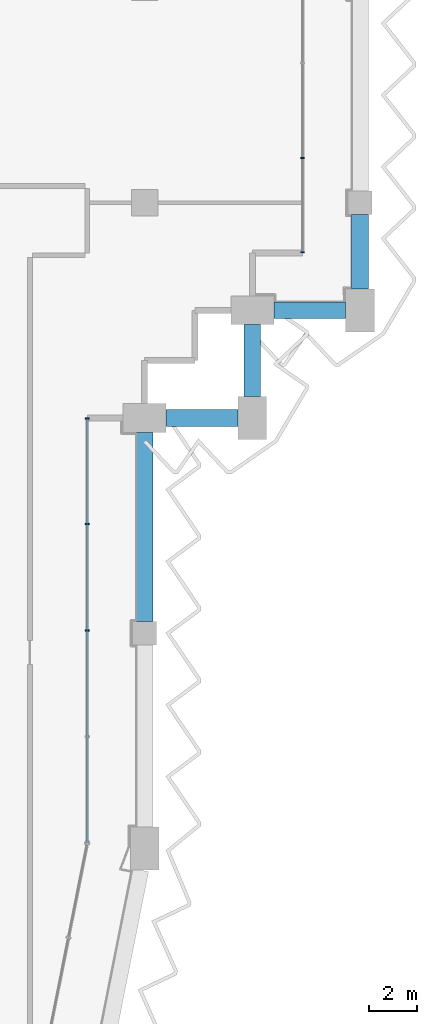
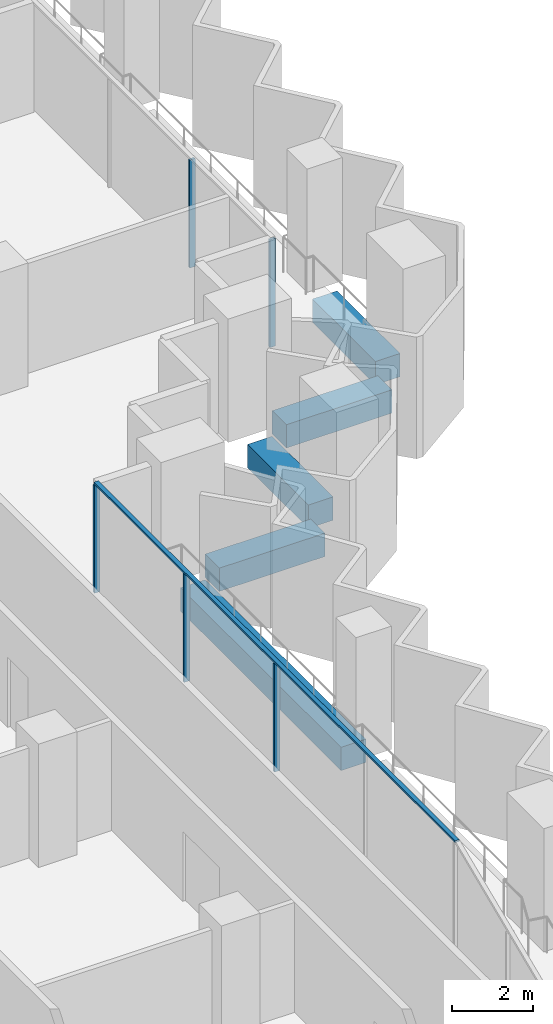
# One storey, part 5 of 19: 6 members, 5 beams, 2 elements without a shape of their own.
"""IFC4 building model written with IfcOpenShell, lengths in metres."""

from ifc_helpers import new_model, si_unit, direction, frame, origin, origin_2d, place, context, subcontext, project, spatial, rectangle, extrude, material, material_profile, profile_set, type_object, element, aggregate, save


model = new_model("IFC4")

# Units and contexts
model_context = context("Model", 3, precision=1e-05, world=origin(), true_north=direction((0.0, 1.0)))
body_context = subcontext(model_context, "Body", "Model", "MODEL_VIEW")
ifc_project = project(units=[si_unit("LENGTHUNIT", "METRE"), si_unit("AREAUNIT", "SQUARE_METRE"), si_unit("VOLUMEUNIT", "CUBIC_METRE"), si_unit("PLANEANGLEUNIT", "RADIAN"), si_unit("MASSUNIT", "GRAM", prefix="KILO")], contexts=[model_context])

# Site, building, storey
site_placement = place(None, origin())
site = spatial("IfcSite", under=ifc_project, at=site_placement, CompositionType="ELEMENT")
building_placement = place(site_placement, origin())
building = spatial("IfcBuilding", under=site, at=building_placement, Name="Hunhe Ridgeline Campus", CompositionType="ELEMENT")
storey_placement = place(building_placement, frame((0.0, 0.0, 216.10009765625)))
storey = spatial("IfcBuildingStorey", under=building, at=storey_placement, Name="L55", CompositionType="ELEMENT", Elevation=216.10009765625)

# Curtain wall, members
ifc_material_1 = material(Name="Aluminium 6063", Category="aluminium")
curtain_wall_type = type_object("IfcCurtainWallType", Name="Curtain wall CW-1", PredefinedType="NOTDEFINED", material=ifc_material_1)
curtain_wall_1_placement = place(storey_placement, origin())
curtain_wall_1 = element("IfcCurtainWall", 1, at=curtain_wall_1_placement, inside=storey, type_object=curtain_wall_type, Name="Curtain wall 11", PredefinedType="NOTDEFINED")
ifc_material_profile_1 = material_profile(ifc_material_1, rectangle(XDim=0.159912109375, YDim=0.06005859375, at=origin_2d()))
ifc_profile_set_1 = profile_set([ifc_material_profile_1], Name="Aluminium 6063")
member_type_1 = type_object("IfcMemberType", Name="CW-1 aluminium mullion", PredefinedType="MULLION", material=ifc_profile_set_1)
member_1_placement = place(storey_placement, frame((42.59912109375, 45.118408203125, 0.0), z_axis=(0.0, 0.0, 1.0), x_axis=(-0.999999999978, 6.642653e-06, 0.0)))
member_1 = element("IfcMember", 2, at=member_1_placement, type_object=member_type_1, Name="CW-1 mullion 3", PredefinedType="MULLION", context=body_context, shape_type="SweptSolid", body=[
    extrude(rectangle(XDim=0.159912109375, YDim=0.06005859375, at=origin_2d()), origin(), (0.0, 0.0, 1.0), 3.239990234375),
])
member_2_placement = place(storey_placement, frame((42.59912109375, 49.5595703125, 0.0), z_axis=(0.0, 0.0, 1.0), x_axis=(-0.999999999978, 6.642653e-06, 0.0)))
member_2 = element("IfcMember", 3, at=member_2_placement, type_object=member_type_1, Name="CW-1 mullion 4", PredefinedType="MULLION", context=body_context, shape_type="SweptSolid", body=[
    extrude(rectangle(XDim=0.159912109375, YDim=0.06005859375, at=origin_2d()), origin(), (0.0, 0.0, 1.0), 3.239990234375),
])
member_3_placement = place(storey_placement, frame((42.59912109375, 53.970458984375, 0.0), z_axis=(0.0, 0.0, 1.0), x_axis=(-0.999999999978, 6.642653e-06, 0.0)))
member_3 = element("IfcMember", 4, at=member_3_placement, type_object=member_type_1, Name="CW-1 mullion 5", PredefinedType="MULLION", context=body_context, shape_type="SweptSolid", body=[
    extrude(rectangle(XDim=0.159912109375, YDim=0.06005859375, at=origin_2d()), origin(), (0.0, 0.0, 1.0), 3.239990234375),
])

curtain_wall_2_placement = place(storey_placement, origin())
curtain_wall_2 = element("IfcCurtainWall", 5, at=curtain_wall_2_placement, inside=storey, type_object=curtain_wall_type, Name="Curtain wall 12", PredefinedType="NOTDEFINED")
member_4_placement = place(storey_placement, frame((51.59912109375, 60.930908203125, 0.0), z_axis=(0.0, 0.0, 1.0), x_axis=(-1.0, 0.0, 0.0)))
member_4 = element("IfcMember", 6, at=member_4_placement, type_object=member_type_1, Name="CW-1 mullion 1", PredefinedType="MULLION", context=body_context, shape_type="SweptSolid", body=[
    extrude(rectangle(XDim=0.159912109375, YDim=0.06005859375, at=origin_2d()), origin(), (0.0, 0.0, 1.0), 3.239990234375),
])
member_5_placement = place(storey_placement, frame((51.59912109375, 64.8759765625, 0.0), z_axis=(0.0, 0.0, 1.0), x_axis=(-1.0, 0.0, 0.0)))
member_5 = element("IfcMember", 7, at=member_5_placement, type_object=member_type_1, Name="CW-1 mullion 2", PredefinedType="MULLION", context=body_context, shape_type="SweptSolid", body=[
    extrude(rectangle(XDim=0.159912109375, YDim=0.06005859375, at=origin_2d()), origin(), (0.0, 0.0, 1.0), 3.239990234375),
])
aggregate(curtain_wall_2, [member_4, member_5])

# Member
ifc_material_profile_2 = material_profile(ifc_material_1, rectangle(XDim=0.1201171875, YDim=0.06005859375, at=origin_2d()))
ifc_profile_set_2 = profile_set([ifc_material_profile_2], Name="Aluminium 6063")
member_type_2 = type_object("IfcMemberType", Name="CW-1 aluminium transom", PredefinedType="USERDEFINED", material=ifc_profile_set_2)
member_6_placement = place(storey_placement, frame((42.59912109375, 36.236572265625, 3.27001953125), z_axis=(0.0, 1.0, 0.0), x_axis=(-1.0, 0.0, 0.0)))
member_6 = element("IfcMember", 8, at=member_6_placement, type_object=member_type_2, Name="CW-1 transom 1", ObjectType="TRANSOM", PredefinedType="USERDEFINED", context=body_context, shape_type="SweptSolid", body=[
    extrude(rectangle(XDim=0.1201171875, YDim=0.06005859375, at=origin_2d()), origin(), (0.0, 0.0, 1.0), 17.763916015625),
])

aggregate(curtain_wall_1, [member_6, member_1, member_2, member_3])

# Beams
ifc_material_2 = material(Name="Concrete C50", Category="concrete")
ifc_material_profile_3 = material_profile(ifc_material_2, rectangle(XDim=0.699951171875, YDim=0.699951171875, at=origin_2d()))
ifc_profile_set_3 = profile_set([ifc_material_profile_3], Name="Concrete C50")
beam_type = type_object("IfcBeamType", Name="RC spandrel beam 700x700 Concrete C50", PredefinedType="SPANDREL", material=ifc_profile_set_3)
beam_1_placement = place(storey_placement, frame((45.0, 45.5, -0.60009765625), z_axis=(0.0, 1.0, 0.0), x_axis=(-1.0, 0.0, 0.0)))
element("IfcBeam", 9, at=beam_1_placement, inside=storey, type_object=beam_type, Name="Spandrel beam B3-10 L55", PredefinedType="SPANDREL", context=body_context, shape_type="SweptSolid", body=[
    extrude(rectangle(XDim=0.699951171875, YDim=0.699951171875, at=origin_2d()), origin(), (0.0, 0.0, 1.0), 7.89990234375),
])
for number, where, z_axis, x_axis, name in (
    (10, (45.89990234375, 54.0, -0.60009765625), (1.0, 0.0, 0.0), (0.0, 1.0, 0.0), "Spandrel beam B3-11 L55"),
    (11, (49.5, 54.89990234375, -0.60009765625), (0.0, 1.0, 0.0), (-1.0, 0.0, 0.0), "Spandrel beam B3-12 L55"),
    (12, (50.39990234375, 58.5, -0.60009765625), (1.0, 0.0, 0.0), (0.0, 1.0, 0.0), "Spandrel beam B3-13 L55"),
):
    element("IfcBeam", number, at=place(storey_placement, frame(where, z_axis=z_axis, x_axis=x_axis)), inside=storey, type_object=beam_type, Name=name, PredefinedType="SPANDREL", context=body_context, shape_type="SweptSolid", body=[
        extrude(rectangle(XDim=0.699951171875, YDim=0.699951171875, at=origin_2d()), origin(), (0.0, 0.0, 1.0), 3.0),
    ])
beam_2_placement = place(storey_placement, frame((54.0, 59.39990234375, -0.60009765625), z_axis=(0.0, 1.0, 0.0), x_axis=(-1.0, 0.0, 0.0)))
element("IfcBeam", 13, at=beam_2_placement, inside=storey, type_object=beam_type, Name="Spandrel beam B3-14 L55", PredefinedType="SPANDREL", context=body_context, shape_type="SweptSolid", body=[
    extrude(rectangle(XDim=0.699951171875, YDim=0.699951171875, at=origin_2d()), origin(), (0.0, 0.0, 1.0), 3.10009765625),
])

save(model, "model.ifc")
